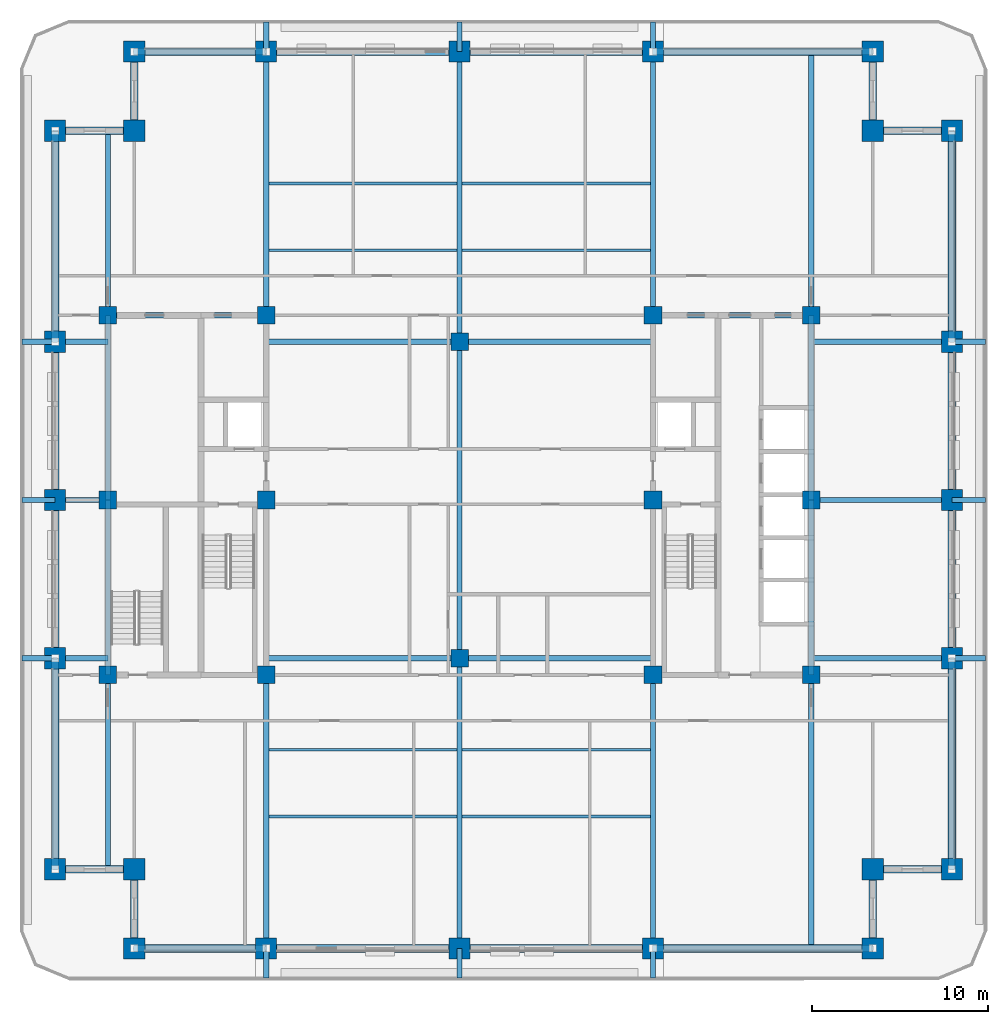
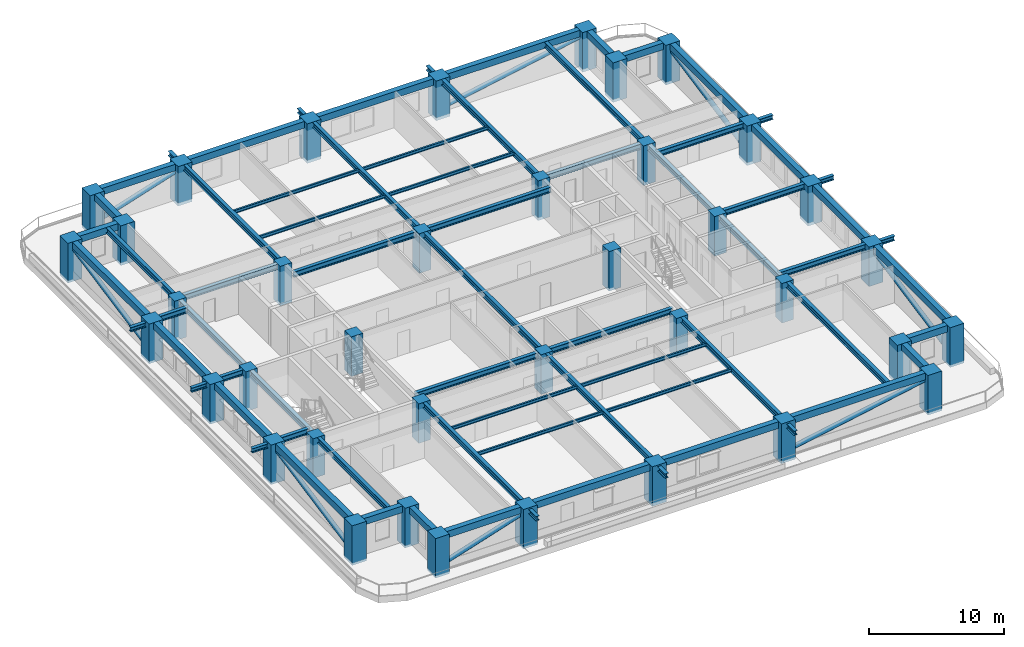
# One storey, part 1 of 13: 71 beams, 38 columns, 8 members.
"""IFC4 building model written with IfcOpenShell, lengths in metres."""

from ifc_helpers import new_model, si_unit, direction, frame, origin, origin_2d, place, context, subcontext, project, spatial, rectangle, hollow_circle, i_section, extrude, material, material_profile, profile_set, type_object, element, save


model = new_model("IFC4")

# Units and contexts
model_context = context("Model", 3, precision=1e-05, world=origin(), true_north=direction((0.0, 1.0)))
body_context = subcontext(model_context, "Body", "Model", "MODEL_VIEW")
ifc_project = project(units=[si_unit("LENGTHUNIT", "METRE"), si_unit("AREAUNIT", "SQUARE_METRE"), si_unit("VOLUMEUNIT", "CUBIC_METRE"), si_unit("PLANEANGLEUNIT", "RADIAN"), si_unit("MASSUNIT", "GRAM", prefix="KILO")], contexts=[model_context])

# Site, building, storey
site_placement = place(None, origin())
site = spatial("IfcSite", under=ifc_project, at=site_placement, CompositionType="ELEMENT")
building_placement = place(site_placement, origin())
building = spatial("IfcBuilding", under=site, at=building_placement, Name="Zulmaris Gate Convention Tower", CompositionType="ELEMENT")
storey_placement = place(building_placement, frame((0.0, 0.0, 91.35986328125)))
storey = spatial("IfcBuildingStorey", under=building, at=storey_placement, Name="L22", CompositionType="ELEMENT", Elevation=91.35986328125)

# Columns
ifc_material_1 = material(Name="Concrete C60/75", Category="concrete")
ifc_material_profile_1 = material_profile(ifc_material_1, rectangle(XDim=1.0, YDim=1.0, at=origin_2d()), Name="RC COL 1000x1000")
ifc_profile_set_1 = profile_set([ifc_material_profile_1], Name="Concrete C60/75")
column_type_1 = type_object("IfcColumnType", Name="COL-RC1000", PredefinedType="COLUMN", material=ifc_profile_set_1)
for number, where, z_axis, x_axis, name in (
    (1, (-20.0, -9.949951171875, -0.25), (0.0, 0.0, 1.0), (1.0, 0.0, 0.0), "L22 Column IN--20.00_-9.95"),
    (2, (-20.0, 10.5, -0.25), (0.0, 0.0, 1.0), (1.0, 0.0, 0.0), "L22 Column IN--20.00_+10.50"),
    (3, (-11.0, -9.949951171875, -0.25), (0.0, 0.0, 1.0), (1.0, 0.0, 0.0), "L22 Column IN--11.00_-9.95"),
    (4, (-11.0, 0.0, -0.25), (0.0, 0.0, 1.0), (1.0, 0.0, 0.0), "L22 Column IN--11.00_+0.00"),
    (5, (-11.0, 10.5, -0.25), (0.0, 0.0, 1.0), (1.0, 0.0, 0.0), "L22 Column IN--11.00_+10.50"),
    (6, (11.0, -9.949951171875, -0.25), (0.0, 0.0, 1.0), (1.0, 0.0, 0.0), "L22 Column IN-+11.00_-9.95"),
    (7, (11.0, 0.0, -0.25), (0.0, 0.0, 1.0), (1.0, 0.0, 0.0), "L22 Column IN-+11.00_+0.00"),
    (8, (11.0, 10.5, -0.25), (0.0, 0.0, 1.0), (1.0, 0.0, 0.0), "L22 Column IN-+11.00_+10.50"),
    (9, (20.0, -9.949951171875, -0.25), (0.0, 0.0, 1.0), (1.0, 0.0, 0.0), "L22 Column IN-+20.00_-9.95"),
    (10, (20.0, 10.5, -0.25), (0.0, 0.0, 1.0), (1.0, 0.0, 0.0), "L22 Column IN-+20.00_+10.50"),
    (11, (0.0, -9.0, -0.25), (0.0, 0.0, 1.0), (1.0, 0.0, 0.0), "L22 Column IN-+0.00_-9.00"),
    (12, (0.0, 9.0, -0.25), (0.0, 0.0, 1.0), (1.0, 0.0, 0.0), "L22 Column IN-+0.00_+9.00"),
    (13, (-20.0, 0.0, -0.25), (0.0, 0.0, 1.0), (1.0, 0.0, 0.0), "L22 Column IN--20.00_+0.00"),
    (14, (20.0, 0.0, -0.25), (0.0, 0.0, 1.0), (1.0, 0.0, 0.0), "L22 Column IN-+20.00_+0.00"),
):
    element("IfcColumn", number, at=place(storey_placement, frame(where, z_axis=z_axis, x_axis=x_axis)), inside=storey, type_object=column_type_1, Name=name, PredefinedType="COLUMN", context=body_context, shape_type="SweptSolid", body=[
        extrude(rectangle(XDim=1.0, YDim=1.0, at=origin_2d()), origin(), (0.0, 0.0, 1.0), 3.570068359375),
    ])
ifc_material_2 = material(Name="Concrete C70/85", Category="concrete")
ifc_material_profile_2 = material_profile(ifc_material_2, rectangle(XDim=1.199951171875, YDim=1.199951171875, at=origin_2d()), Name="RC COL 1200x1200")
ifc_profile_set_2 = profile_set([ifc_material_profile_2], Name="Concrete C70/85")
column_type_2 = type_object("IfcColumnType", Name="COL-RC1200", PredefinedType="COLUMN", material=ifc_profile_set_2)
for number, where, z_axis, x_axis, name in (
    (15, (-18.5, -25.5, -0.25), (0.0, 0.0, 1.0), (1.0, 0.0, 0.0), "L22 Column PT--18.50_-25.50"),
    (16, (-11.0, -25.5, -0.25), (0.0, 0.0, 1.0), (1.0, 0.0, 0.0), "L22 Column PT--11.00_-25.50"),
    (17, (0.0, -25.5, -0.25), (0.0, 0.0, 1.0), (1.0, 0.0, 0.0), "L22 Column PT-+0.00_-25.50"),
    (18, (11.0, -25.5, -0.25), (0.0, 0.0, 1.0), (1.0, 0.0, 0.0), "L22 Column PT-+11.00_-25.50"),
    (19, (23.5, -25.5, -0.25), (0.0, 0.0, 1.0), (1.0, 0.0, 0.0), "L22 Column PT-+23.50_-25.50"),
    (20, (-18.5, 25.5, -0.25), (0.0, 0.0, 1.0), (1.0, 0.0, 0.0), "L22 Column PT--18.50_+25.50"),
    (21, (-11.0, 25.5, -0.25), (0.0, 0.0, 1.0), (1.0, 0.0, 0.0), "L22 Column PT--11.00_+25.50"),
    (22, (0.0, 25.5, -0.25), (0.0, 0.0, 1.0), (1.0, 0.0, 0.0), "L22 Column PT-+0.00_+25.50"),
    (23, (11.0, 25.5, -0.25), (0.0, 0.0, 1.0), (1.0, 0.0, 0.0), "L22 Column PT-+11.00_+25.50"),
    (24, (23.5, 25.5, -0.25), (0.0, 0.0, 1.0), (1.0, 0.0, 0.0), "L22 Column PT-+23.50_+25.50"),
    (25, (-23.0, -21.0, -0.25), (0.0, 0.0, 1.0), (1.0, 0.0, 0.0), "L22 Column PT--23.00_-21.00"),
    (26, (-23.0, -9.0, -0.25), (0.0, 0.0, 1.0), (1.0, 0.0, 0.0), "L22 Column PT--23.00_-9.00"),
    (27, (-23.0, 0.0, -0.25), (0.0, 0.0, 1.0), (1.0, 0.0, 0.0), "L22 Column PT--23.00_+0.00"),
    (28, (-23.0, 9.0, -0.25), (0.0, 0.0, 1.0), (1.0, 0.0, 0.0), "L22 Column PT--23.00_+9.00"),
    (29, (-23.0, 21.0, -0.25), (0.0, 0.0, 1.0), (1.0, 0.0, 0.0), "L22 Column PT--23.00_+21.00"),
    (30, (28.0, -21.0, -0.25), (0.0, 0.0, 1.0), (1.0, 0.0, 0.0), "L22 Column PT-+28.00_-21.00"),
    (31, (28.0, -9.0, -0.25), (0.0, 0.0, 1.0), (1.0, 0.0, 0.0), "L22 Column PT-+28.00_-9.00"),
    (32, (28.0, 0.0, -0.25), (0.0, 0.0, 1.0), (1.0, 0.0, 0.0), "L22 Column PT-+28.00_+0.00"),
    (33, (28.0, 9.0, -0.25), (0.0, 0.0, 1.0), (1.0, 0.0, 0.0), "L22 Column PT-+28.00_+9.00"),
    (34, (28.0, 21.0, -0.25), (0.0, 0.0, 1.0), (1.0, 0.0, 0.0), "L22 Column PT-+28.00_+21.00"),
    (35, (-18.5, -21.0, -0.25), (0.0, 0.0, 1.0), (1.0, 0.0, 0.0), "L22 Column PT--18.50_-21.00"),
    (36, (23.5, -21.0, -0.25), (0.0, 0.0, 1.0), (1.0, 0.0, 0.0), "L22 Column PT-+23.50_-21.00"),
    (37, (23.5, 21.0, -0.25), (0.0, 0.0, 1.0), (1.0, 0.0, 0.0), "L22 Column PT-+23.50_+21.00"),
    (38, (-18.5, 21.0, -0.25), (0.0, 0.0, 1.0), (1.0, 0.0, 0.0), "L22 Column PT--18.50_+21.00"),
):
    element("IfcColumn", number, at=place(storey_placement, frame(where, z_axis=z_axis, x_axis=x_axis)), inside=storey, type_object=column_type_2, Name=name, PredefinedType="COLUMN", context=body_context, shape_type="SweptSolid", body=[
        extrude(rectangle(XDim=1.199951171875, YDim=1.199951171875, at=origin_2d()), origin(), (0.0, 0.0, 1.0), 3.570068359375),
    ])

# Beams
ifc_material_3 = material(Name="Steel S355", Category="steel")
ifc_material_profile_3 = material_profile(ifc_material_3, i_section(OverallWidth=0.300048828125, OverallDepth=0.39990234375, WebThickness=0.013427734375, FlangeThickness=0.02392578125, FilletRadius=0.027099609375, at=origin_2d()), Name="HEB 400")
ifc_profile_set_3 = profile_set([ifc_material_profile_3], Name="Steel S355")
beam_type_1 = type_object("IfcBeamType", Name="BM-HEB400", PredefinedType="BEAM", material=ifc_profile_set_3)
for number, where, z_axis, x_axis, name in (
    (39, (-11.0, -27.199951171875, 2.97998046875), (0.0, 1.0, 0.0), (-1.0, 0.0, 0.0), "L22 Beam TBRK-L22-S--11"),
    (40, (-11.0, 25.5, 2.97998046875), (0.0, 1.0, 0.0), (-1.0, 0.0, 0.0), "L22 Beam TBRK-L22-N--11"),
    (41, (0.0, -27.199951171875, 2.97998046875), (0.0, 1.0, 0.0), (-1.0, 0.0, 0.0), "L22 Beam TBRK-L22-S-+0"),
    (42, (0.0, 25.5, 2.97998046875), (0.0, 1.0, 0.0), (-1.0, 0.0, 0.0), "L22 Beam TBRK-L22-N-+0"),
    (43, (11.0, -27.199951171875, 2.97998046875), (0.0, 1.0, 0.0), (-1.0, 0.0, 0.0), "L22 Beam TBRK-L22-S-+11"),
    (44, (11.0, 25.5, 2.97998046875), (0.0, 1.0, 0.0), (-1.0, 0.0, 0.0), "L22 Beam TBRK-L22-N-+11"),
):
    element("IfcBeam", number, at=place(storey_placement, frame(where, z_axis=z_axis, x_axis=x_axis)), inside=storey, type_object=beam_type_1, Name=name, PredefinedType="BEAM", context=body_context, shape_type="SweptSolid", body=[
        extrude(i_section(OverallWidth=0.300048828125, OverallDepth=0.39990234375, WebThickness=0.013427734375, FlangeThickness=0.02392578125, FilletRadius=0.027099609375, at=origin_2d()), origin(), (0.0, 0.0, 1.0), 1.699951171875),
    ])
for number, where, z_axis, x_axis, name in (
    (45, (-24.89990234375, -9.0, 2.97998046875), (1.0, 0.0, 0.0), (0.0, 1.0, 0.0), "L22 Beam TBRK-L22-W--9"),
    (46, (28.0, -9.0, 2.97998046875), (1.0, 0.0, 0.0), (0.0, 1.0, 0.0), "L22 Beam TBRK-L22-E--9"),
    (47, (-24.89990234375, 0.0, 2.97998046875), (1.0, 0.0, 0.0), (0.0, 1.0, 0.0), "L22 Beam TBRK-L22-W-+0"),
    (48, (28.0, 0.0, 2.97998046875), (1.0, 0.0, 0.0), (0.0, 1.0, 0.0), "L22 Beam TBRK-L22-E-+0"),
    (49, (-24.89990234375, 9.0, 2.97998046875), (1.0, 0.0, 0.0), (0.0, 1.0, 0.0), "L22 Beam TBRK-L22-W-+9"),
    (50, (28.0, 9.0, 2.97998046875), (1.0, 0.0, 0.0), (0.0, 1.0, 0.0), "L22 Beam TBRK-L22-E-+9"),
):
    element("IfcBeam", number, at=place(storey_placement, frame(where, z_axis=z_axis, x_axis=x_axis)), inside=storey, type_object=beam_type_1, Name=name, PredefinedType="BEAM", context=body_context, shape_type="SweptSolid", body=[
        extrude(i_section(OverallWidth=0.300048828125, OverallDepth=0.39990234375, WebThickness=0.013427734375, FlangeThickness=0.02392578125, FilletRadius=0.027099609375, at=origin_2d()), origin(), (0.0, 0.0, 1.0), 1.89990234375),
    ])
ifc_material_profile_4 = material_profile(ifc_material_3, i_section(OverallWidth=0.300048828125, OverallDepth=0.5, WebThickness=0.014404296875, FlangeThickness=0.028076171875, FilletRadius=0.027099609375, at=origin_2d()), Name="HEB 500")
ifc_profile_set_4 = profile_set([ifc_material_profile_4], Name="Steel S355")
beam_type_2 = type_object("IfcBeamType", Name="BM-HEB500", PredefinedType="BEAM", material=ifc_profile_set_4)
for number, where, z_axis, x_axis, name in (
    (51, (-11.0, -9.0, 3.068115234375), (1.0, 0.0, 0.0), (0.0, 1.0, 0.0), "L22 Beam BM-L22-G01"),
    (52, (0.0, -9.0, 3.068115234375), (1.0, 0.0, 0.0), (0.0, 1.0, 0.0), "L22 Beam BM-L22-G02"),
    (53, (-11.0, 9.0, 3.068115234375), (1.0, 0.0, 0.0), (0.0, 1.0, 0.0), "L22 Beam BM-L22-G03"),
    (54, (0.0, 9.0, 3.068115234375), (1.0, 0.0, 0.0), (0.0, 1.0, 0.0), "L22 Beam BM-L22-G04"),
):
    element("IfcBeam", number, at=place(storey_placement, frame(where, z_axis=z_axis, x_axis=x_axis)), inside=storey, type_object=beam_type_2, Name=name, PredefinedType="BEAM", context=body_context, shape_type="SweptSolid", body=[
        extrude(i_section(OverallWidth=0.300048828125, OverallDepth=0.5, WebThickness=0.014404296875, FlangeThickness=0.028076171875, FilletRadius=0.027099609375, at=origin_2d()), origin(), (0.0, 0.0, 1.0), 11.0),
    ])
beam_1_placement = place(storey_placement, frame((0.0, -25.5, 3.068115234375), z_axis=(0.0, 1.0, 0.0), x_axis=(-1.0, 0.0, 0.0)))
element("IfcBeam", 55, at=beam_1_placement, inside=storey, type_object=beam_type_2, Name="L22 Beam BM-L22-G05", PredefinedType="BEAM", context=body_context, shape_type="SweptSolid", body=[
    extrude(i_section(OverallWidth=0.300048828125, OverallDepth=0.5, WebThickness=0.014404296875, FlangeThickness=0.028076171875, FilletRadius=0.027099609375, at=origin_2d()), origin(), (0.0, 0.0, 1.0), 16.5),
])
beam_2_placement = place(storey_placement, frame((0.0, -9.0, 3.068115234375), z_axis=(0.0, 1.0, 0.0), x_axis=(-1.0, 0.0, 0.0)))
element("IfcBeam", 56, at=beam_2_placement, inside=storey, type_object=beam_type_2, Name="L22 Beam BM-L22-G06", PredefinedType="BEAM", context=body_context, shape_type="SweptSolid", body=[
    extrude(i_section(OverallWidth=0.300048828125, OverallDepth=0.5, WebThickness=0.014404296875, FlangeThickness=0.028076171875, FilletRadius=0.027099609375, at=origin_2d()), origin(), (0.0, 0.0, 1.0), 18.0),
])
beam_3_placement = place(storey_placement, frame((0.0, 9.0, 3.068115234375), z_axis=(0.0, 1.0, 0.0), x_axis=(-1.0, 0.0, 0.0)))
element("IfcBeam", 57, at=beam_3_placement, inside=storey, type_object=beam_type_2, Name="L22 Beam BM-L22-G07", PredefinedType="BEAM", context=body_context, shape_type="SweptSolid", body=[
    extrude(i_section(OverallWidth=0.300048828125, OverallDepth=0.5, WebThickness=0.014404296875, FlangeThickness=0.028076171875, FilletRadius=0.027099609375, at=origin_2d()), origin(), (0.0, 0.0, 1.0), 16.5),
])
beam_4_placement = place(storey_placement, frame((-11.0, -25.5, 3.068115234375), z_axis=(0.0, 1.0, 0.0), x_axis=(-1.0, 0.0, 0.0)))
element("IfcBeam", 58, at=beam_4_placement, inside=storey, type_object=beam_type_2, Name="L22 Beam BM-L22-G08", PredefinedType="BEAM", context=body_context, shape_type="SweptSolid", body=[
    extrude(i_section(OverallWidth=0.300048828125, OverallDepth=0.5, WebThickness=0.014404296875, FlangeThickness=0.028076171875, FilletRadius=0.027099609375, at=origin_2d()), origin(), (0.0, 0.0, 1.0), 15.550048828125),
])
beam_5_placement = place(storey_placement, frame((-11.0, 10.5, 3.068115234375), z_axis=(0.0, 1.0, 0.0), x_axis=(-1.0, 0.0, 0.0)))
element("IfcBeam", 59, at=beam_5_placement, inside=storey, type_object=beam_type_2, Name="L22 Beam BM-L22-G09", PredefinedType="BEAM", context=body_context, shape_type="SweptSolid", body=[
    extrude(i_section(OverallWidth=0.300048828125, OverallDepth=0.5, WebThickness=0.014404296875, FlangeThickness=0.028076171875, FilletRadius=0.027099609375, at=origin_2d()), origin(), (0.0, 0.0, 1.0), 15.0),
])
beam_6_placement = place(storey_placement, frame((11.0, -25.5, 3.068115234375), z_axis=(0.0, 1.0, 0.0), x_axis=(-1.0, 0.0, 0.0)))
element("IfcBeam", 60, at=beam_6_placement, inside=storey, type_object=beam_type_2, Name="L22 Beam BM-L22-G10", PredefinedType="BEAM", context=body_context, shape_type="SweptSolid", body=[
    extrude(i_section(OverallWidth=0.300048828125, OverallDepth=0.5, WebThickness=0.014404296875, FlangeThickness=0.028076171875, FilletRadius=0.027099609375, at=origin_2d()), origin(), (0.0, 0.0, 1.0), 15.550048828125),
])
beam_7_placement = place(storey_placement, frame((11.0, 10.5, 3.068115234375), z_axis=(0.0, 1.0, 0.0), x_axis=(-1.0, 0.0, 0.0)))
element("IfcBeam", 61, at=beam_7_placement, inside=storey, type_object=beam_type_2, Name="L22 Beam BM-L22-G11", PredefinedType="BEAM", context=body_context, shape_type="SweptSolid", body=[
    extrude(i_section(OverallWidth=0.300048828125, OverallDepth=0.5, WebThickness=0.014404296875, FlangeThickness=0.028076171875, FilletRadius=0.027099609375, at=origin_2d()), origin(), (0.0, 0.0, 1.0), 15.0),
])
beam_8_placement = place(storey_placement, frame((-20.0, -21.0, 3.068115234375), z_axis=(0.0, 1.0, 0.0), x_axis=(-1.0, 0.0, 0.0)))
element("IfcBeam", 62, at=beam_8_placement, inside=storey, type_object=beam_type_2, Name="L22 Beam BM-L22-G12", PredefinedType="BEAM", context=body_context, shape_type="SweptSolid", body=[
    extrude(i_section(OverallWidth=0.300048828125, OverallDepth=0.5, WebThickness=0.014404296875, FlangeThickness=0.028076171875, FilletRadius=0.027099609375, at=origin_2d()), origin(), (0.0, 0.0, 1.0), 11.050048828125),
])
beam_9_placement = place(storey_placement, frame((-20.0, 10.5, 3.068115234375), z_axis=(0.0, 1.0, 0.0), x_axis=(-1.0, 0.0, 0.0)))
element("IfcBeam", 63, at=beam_9_placement, inside=storey, type_object=beam_type_2, Name="L22 Beam BM-L22-G13", PredefinedType="BEAM", context=body_context, shape_type="SweptSolid", body=[
    extrude(i_section(OverallWidth=0.300048828125, OverallDepth=0.5, WebThickness=0.014404296875, FlangeThickness=0.028076171875, FilletRadius=0.027099609375, at=origin_2d()), origin(), (0.0, 0.0, 1.0), 10.5),
])
beam_10_placement = place(storey_placement, frame((20.0, -25.5, 3.068115234375), z_axis=(0.0, 1.0, 0.0), x_axis=(-1.0, 0.0, 0.0)))
element("IfcBeam", 64, at=beam_10_placement, inside=storey, type_object=beam_type_2, Name="L22 Beam BM-L22-G14", PredefinedType="BEAM", context=body_context, shape_type="SweptSolid", body=[
    extrude(i_section(OverallWidth=0.300048828125, OverallDepth=0.5, WebThickness=0.014404296875, FlangeThickness=0.028076171875, FilletRadius=0.027099609375, at=origin_2d()), origin(), (0.0, 0.0, 1.0), 15.550048828125),
])
beam_11_placement = place(storey_placement, frame((20.0, 10.5, 3.068115234375), z_axis=(0.0, 1.0, 0.0), x_axis=(-1.0, 0.0, 0.0)))
element("IfcBeam", 65, at=beam_11_placement, inside=storey, type_object=beam_type_2, Name="L22 Beam BM-L22-G15", PredefinedType="BEAM", context=body_context, shape_type="SweptSolid", body=[
    extrude(i_section(OverallWidth=0.300048828125, OverallDepth=0.5, WebThickness=0.014404296875, FlangeThickness=0.028076171875, FilletRadius=0.027099609375, at=origin_2d()), origin(), (0.0, 0.0, 1.0), 15.0),
])
for number, where, z_axis, x_axis, name in (
    (66, (-23.0, -9.0, 3.068115234375), (1.0, 0.0, 0.0), (0.0, 1.0, 0.0), "L22 Beam BM-L22-G16"),
    (67, (-23.0, 0.0, 3.068115234375), (1.0, 0.0, 0.0), (0.0, 1.0, 0.0), "L22 Beam BM-L22-G17"),
    (68, (-23.0, 9.0, 3.068115234375), (1.0, 0.0, 0.0), (0.0, 1.0, 0.0), "L22 Beam BM-L22-G18"),
):
    element("IfcBeam", number, at=place(storey_placement, frame(where, z_axis=z_axis, x_axis=x_axis)), inside=storey, type_object=beam_type_2, Name=name, PredefinedType="BEAM", context=body_context, shape_type="SweptSolid", body=[
        extrude(i_section(OverallWidth=0.300048828125, OverallDepth=0.5, WebThickness=0.014404296875, FlangeThickness=0.028076171875, FilletRadius=0.027099609375, at=origin_2d()), origin(), (0.0, 0.0, 1.0), 3.0),
    ])
for number, where, z_axis, x_axis, name in (
    (69, (20.0, -9.0, 3.068115234375), (1.0, 0.0, 0.0), (0.0, 1.0, 0.0), "L22 Beam BM-L22-G19"),
    (70, (20.0, 0.0, 3.068115234375), (1.0, 0.0, 0.0), (0.0, 1.0, 0.0), "L22 Beam BM-L22-G20"),
    (71, (20.0, 9.0, 3.068115234375), (1.0, 0.0, 0.0), (0.0, 1.0, 0.0), "L22 Beam BM-L22-G21"),
):
    element("IfcBeam", number, at=place(storey_placement, frame(where, z_axis=z_axis, x_axis=x_axis)), inside=storey, type_object=beam_type_2, Name=name, PredefinedType="BEAM", context=body_context, shape_type="SweptSolid", body=[
        extrude(i_section(OverallWidth=0.300048828125, OverallDepth=0.5, WebThickness=0.014404296875, FlangeThickness=0.028076171875, FilletRadius=0.027099609375, at=origin_2d()), origin(), (0.0, 0.0, 1.0), 8.0),
    ])
for number, where, z_axis, x_axis, name in (
    (72, (-20.0, 10.5, 3.068115234375), (1.0, 0.0, 0.0), (0.0, 1.0, 0.0), "L22 Beam BM-L22-G23"),
    (73, (11.0, 10.5, 3.068115234375), (1.0, 0.0, 0.0), (0.0, 1.0, 0.0), "L22 Beam BM-L22-G25"),
):
    element("IfcBeam", number, at=place(storey_placement, frame(where, z_axis=z_axis, x_axis=x_axis)), inside=storey, type_object=beam_type_2, Name=name, PredefinedType="BEAM", context=body_context, shape_type="SweptSolid", body=[
        extrude(i_section(OverallWidth=0.300048828125, OverallDepth=0.5, WebThickness=0.014404296875, FlangeThickness=0.028076171875, FilletRadius=0.027099609375, at=origin_2d()), origin(), (0.0, 0.0, 1.0), 9.0),
    ])
beam_12_placement = place(storey_placement, frame((-20.0, -9.949951171875, 3.068115234375), z_axis=(0.0, 1.0, 0.0), x_axis=(-1.0, 0.0, 0.0)))
element("IfcBeam", 74, at=beam_12_placement, inside=storey, type_object=beam_type_2, Name="L22 Beam BM-L22-G26", PredefinedType="BEAM", context=body_context, shape_type="SweptSolid", body=[
    extrude(i_section(OverallWidth=0.300048828125, OverallDepth=0.5, WebThickness=0.014404296875, FlangeThickness=0.028076171875, FilletRadius=0.027099609375, at=origin_2d()), origin(), (0.0, 0.0, 1.0), 9.949951171875),
])
beam_13_placement = place(storey_placement, frame((-20.0, 0.0, 3.068115234375), z_axis=(0.0, 1.0, 0.0), x_axis=(-1.0, 0.0, 0.0)))
element("IfcBeam", 75, at=beam_13_placement, inside=storey, type_object=beam_type_2, Name="L22 Beam BM-L22-G27", PredefinedType="BEAM", context=body_context, shape_type="SweptSolid", body=[
    extrude(i_section(OverallWidth=0.300048828125, OverallDepth=0.5, WebThickness=0.014404296875, FlangeThickness=0.028076171875, FilletRadius=0.027099609375, at=origin_2d()), origin(), (0.0, 0.0, 1.0), 10.5),
])
beam_14_placement = place(storey_placement, frame((20.0, -9.949951171875, 3.068115234375), z_axis=(0.0, 1.0, 0.0), x_axis=(-1.0, 0.0, 0.0)))
element("IfcBeam", 76, at=beam_14_placement, inside=storey, type_object=beam_type_2, Name="L22 Beam BM-L22-G28", PredefinedType="BEAM", context=body_context, shape_type="SweptSolid", body=[
    extrude(i_section(OverallWidth=0.300048828125, OverallDepth=0.5, WebThickness=0.014404296875, FlangeThickness=0.028076171875, FilletRadius=0.027099609375, at=origin_2d()), origin(), (0.0, 0.0, 1.0), 9.949951171875),
])
beam_15_placement = place(storey_placement, frame((20.0, 0.0, 3.068115234375), z_axis=(0.0, 1.0, 0.0), x_axis=(-1.0, 0.0, 0.0)))
element("IfcBeam", 77, at=beam_15_placement, inside=storey, type_object=beam_type_2, Name="L22 Beam BM-L22-G29", PredefinedType="BEAM", context=body_context, shape_type="SweptSolid", body=[
    extrude(i_section(OverallWidth=0.300048828125, OverallDepth=0.5, WebThickness=0.014404296875, FlangeThickness=0.028076171875, FilletRadius=0.027099609375, at=origin_2d()), origin(), (0.0, 0.0, 1.0), 10.5),
])
ifc_material_4 = material(Name="Precast concrete C50/60", Category="concrete")
ifc_material_profile_5 = material_profile(ifc_material_4, rectangle(XDim=0.449951171875, YDim=0.60009765625, at=origin_2d()), Name="RC SPANDREL 450x600")
ifc_profile_set_5 = profile_set([ifc_material_profile_5], Name="Precast concrete C50/60")
beam_type_3 = type_object("IfcBeamType", Name="BM-SP450x600", PredefinedType="SPANDREL", material=ifc_profile_set_5)
beam_16_placement = place(storey_placement, frame((-18.5, -25.5, 3.02001953125), z_axis=(1.0, 0.0, 0.0), x_axis=(0.0, 1.0, 0.0)))
element("IfcBeam", 78, at=beam_16_placement, inside=storey, type_object=beam_type_3, Name="L22 Spandrel SP-L22-01", PredefinedType="SPANDREL", context=body_context, shape_type="SweptSolid", body=[
    extrude(rectangle(XDim=0.449951171875, YDim=0.60009765625, at=origin_2d()), origin(), (0.0, 0.0, 1.0), 7.5),
])
for number, where, z_axis, x_axis, name in (
    (79, (-11.0, -25.5, 3.02001953125), (1.0, 0.0, 0.0), (0.0, 1.0, 0.0), "L22 Spandrel SP-L22-02"),
    (80, (0.0, -25.5, 3.02001953125), (1.0, 0.0, 0.0), (0.0, 1.0, 0.0), "L22 Spandrel SP-L22-03"),
):
    element("IfcBeam", number, at=place(storey_placement, frame(where, z_axis=z_axis, x_axis=x_axis)), inside=storey, type_object=beam_type_3, Name=name, PredefinedType="SPANDREL", context=body_context, shape_type="SweptSolid", body=[
        extrude(rectangle(XDim=0.449951171875, YDim=0.60009765625, at=origin_2d()), origin(), (0.0, 0.0, 1.0), 11.0),
    ])
beam_17_placement = place(storey_placement, frame((11.0, -25.5, 3.02001953125), z_axis=(1.0, 0.0, 0.0), x_axis=(0.0, 1.0, 0.0)))
element("IfcBeam", 81, at=beam_17_placement, inside=storey, type_object=beam_type_3, Name="L22 Spandrel SP-L22-04", PredefinedType="SPANDREL", context=body_context, shape_type="SweptSolid", body=[
    extrude(rectangle(XDim=0.449951171875, YDim=0.60009765625, at=origin_2d()), origin(), (0.0, 0.0, 1.0), 12.5),
])
for number, where, z_axis, x_axis, name in (
    (82, (23.5, -25.5, 3.02001953125), (0.0, 1.0, 0.0), (-1.0, 0.0, 0.0), "L22 Spandrel SP-L22-05"),
    (83, (23.5, -21.0, 3.02001953125), (1.0, 0.0, 0.0), (0.0, 1.0, 0.0), "L22 Spandrel SP-L22-06"),
):
    element("IfcBeam", number, at=place(storey_placement, frame(where, z_axis=z_axis, x_axis=x_axis)), inside=storey, type_object=beam_type_3, Name=name, PredefinedType="SPANDREL", context=body_context, shape_type="SweptSolid", body=[
        extrude(rectangle(XDim=0.449951171875, YDim=0.60009765625, at=origin_2d()), origin(), (0.0, 0.0, 1.0), 4.5),
    ])
beam_18_placement = place(storey_placement, frame((28.0, -21.0, 3.02001953125), z_axis=(0.0, 1.0, 0.0), x_axis=(-1.0, 0.0, 0.0)))
element("IfcBeam", 84, at=beam_18_placement, inside=storey, type_object=beam_type_3, Name="L22 Spandrel SP-L22-07", PredefinedType="SPANDREL", context=body_context, shape_type="SweptSolid", body=[
    extrude(rectangle(XDim=0.449951171875, YDim=0.60009765625, at=origin_2d()), origin(), (0.0, 0.0, 1.0), 12.0),
])
for number, where, z_axis, x_axis, name in (
    (85, (28.0, -9.0, 3.02001953125), (0.0, 1.0, 0.0), (-1.0, 0.0, 0.0), "L22 Spandrel SP-L22-08"),
    (86, (28.0, 0.0, 3.02001953125), (0.0, 1.0, 0.0), (-1.0, 0.0, 0.0), "L22 Spandrel SP-L22-09"),
):
    element("IfcBeam", number, at=place(storey_placement, frame(where, z_axis=z_axis, x_axis=x_axis)), inside=storey, type_object=beam_type_3, Name=name, PredefinedType="SPANDREL", context=body_context, shape_type="SweptSolid", body=[
        extrude(rectangle(XDim=0.449951171875, YDim=0.60009765625, at=origin_2d()), origin(), (0.0, 0.0, 1.0), 9.0),
    ])
beam_19_placement = place(storey_placement, frame((28.0, 9.0, 3.02001953125), z_axis=(0.0, 1.0, 0.0), x_axis=(-1.0, 0.0, 0.0)))
element("IfcBeam", 87, at=beam_19_placement, inside=storey, type_object=beam_type_3, Name="L22 Spandrel SP-L22-10", PredefinedType="SPANDREL", context=body_context, shape_type="SweptSolid", body=[
    extrude(rectangle(XDim=0.449951171875, YDim=0.60009765625, at=origin_2d()), origin(), (0.0, 0.0, 1.0), 12.0),
])
for number, where, z_axis, x_axis, name in (
    (88, (28.0, 21.0, 3.02001953125), (-1.0, 0.0, 0.0), (0.0, -1.0, 0.0), "L22 Spandrel SP-L22-11"),
    (89, (23.5, 21.0, 3.02001953125), (0.0, 1.0, 0.0), (-1.0, 0.0, 0.0), "L22 Spandrel SP-L22-12"),
):
    element("IfcBeam", number, at=place(storey_placement, frame(where, z_axis=z_axis, x_axis=x_axis)), inside=storey, type_object=beam_type_3, Name=name, PredefinedType="SPANDREL", context=body_context, shape_type="SweptSolid", body=[
        extrude(rectangle(XDim=0.449951171875, YDim=0.60009765625, at=origin_2d()), origin(), (0.0, 0.0, 1.0), 4.5),
    ])
beam_20_placement = place(storey_placement, frame((23.5, 25.5, 3.02001953125), z_axis=(-1.0, 0.0, 0.0), x_axis=(0.0, -1.0, 0.0)))
element("IfcBeam", 90, at=beam_20_placement, inside=storey, type_object=beam_type_3, Name="L22 Spandrel SP-L22-13", PredefinedType="SPANDREL", context=body_context, shape_type="SweptSolid", body=[
    extrude(rectangle(XDim=0.449951171875, YDim=0.60009765625, at=origin_2d()), origin(), (0.0, 0.0, 1.0), 12.5),
])
for number, where, z_axis, x_axis, name in (
    (91, (11.0, 25.5, 3.02001953125), (-1.0, 0.0, 0.0), (0.0, -1.0, 0.0), "L22 Spandrel SP-L22-14"),
    (92, (0.0, 25.5, 3.02001953125), (-1.0, 0.0, 0.0), (0.0, -1.0, 0.0), "L22 Spandrel SP-L22-15"),
):
    element("IfcBeam", number, at=place(storey_placement, frame(where, z_axis=z_axis, x_axis=x_axis)), inside=storey, type_object=beam_type_3, Name=name, PredefinedType="SPANDREL", context=body_context, shape_type="SweptSolid", body=[
        extrude(rectangle(XDim=0.449951171875, YDim=0.60009765625, at=origin_2d()), origin(), (0.0, 0.0, 1.0), 11.0),
    ])
beam_21_placement = place(storey_placement, frame((-11.0, 25.5, 3.02001953125), z_axis=(-1.0, 0.0, 0.0), x_axis=(0.0, -1.0, 0.0)))
element("IfcBeam", 93, at=beam_21_placement, inside=storey, type_object=beam_type_3, Name="L22 Spandrel SP-L22-16", PredefinedType="SPANDREL", context=body_context, shape_type="SweptSolid", body=[
    extrude(rectangle(XDim=0.449951171875, YDim=0.60009765625, at=origin_2d()), origin(), (0.0, 0.0, 1.0), 7.5),
])
for number, where, z_axis, x_axis, name in (
    (94, (-18.5, 25.5, 3.02001953125), (0.0, -1.0, 0.0), (1.0, 0.0, 0.0), "L22 Spandrel SP-L22-17"),
    (95, (-18.5, 21.0, 3.02001953125), (-1.0, 0.0, 0.0), (0.0, -1.0, 0.0), "L22 Spandrel SP-L22-18"),
):
    element("IfcBeam", number, at=place(storey_placement, frame(where, z_axis=z_axis, x_axis=x_axis)), inside=storey, type_object=beam_type_3, Name=name, PredefinedType="SPANDREL", context=body_context, shape_type="SweptSolid", body=[
        extrude(rectangle(XDim=0.449951171875, YDim=0.60009765625, at=origin_2d()), origin(), (0.0, 0.0, 1.0), 4.5),
    ])
beam_22_placement = place(storey_placement, frame((-23.0, 21.0, 3.02001953125), z_axis=(0.0, -1.0, 0.0), x_axis=(1.0, 0.0, 0.0)))
element("IfcBeam", 96, at=beam_22_placement, inside=storey, type_object=beam_type_3, Name="L22 Spandrel SP-L22-19", PredefinedType="SPANDREL", context=body_context, shape_type="SweptSolid", body=[
    extrude(rectangle(XDim=0.449951171875, YDim=0.60009765625, at=origin_2d()), origin(), (0.0, 0.0, 1.0), 12.0),
])
for number, where, z_axis, x_axis, name in (
    (97, (-23.0, 9.0, 3.02001953125), (0.0, -1.0, 0.0), (1.0, 0.0, 0.0), "L22 Spandrel SP-L22-20"),
    (98, (-23.0, 0.0, 3.02001953125), (0.0, -1.0, 0.0), (1.0, 0.0, 0.0), "L22 Spandrel SP-L22-21"),
):
    element("IfcBeam", number, at=place(storey_placement, frame(where, z_axis=z_axis, x_axis=x_axis)), inside=storey, type_object=beam_type_3, Name=name, PredefinedType="SPANDREL", context=body_context, shape_type="SweptSolid", body=[
        extrude(rectangle(XDim=0.449951171875, YDim=0.60009765625, at=origin_2d()), origin(), (0.0, 0.0, 1.0), 9.0),
    ])
beam_23_placement = place(storey_placement, frame((-23.0, -9.0, 3.02001953125), z_axis=(0.0, -1.0, 0.0), x_axis=(1.0, 0.0, 0.0)))
element("IfcBeam", 99, at=beam_23_placement, inside=storey, type_object=beam_type_3, Name="L22 Spandrel SP-L22-22", PredefinedType="SPANDREL", context=body_context, shape_type="SweptSolid", body=[
    extrude(rectangle(XDim=0.449951171875, YDim=0.60009765625, at=origin_2d()), origin(), (0.0, 0.0, 1.0), 12.0),
])
for number, where, z_axis, x_axis, name in (
    (100, (-23.0, -21.0, 3.02001953125), (1.0, 0.0, 0.0), (0.0, 1.0, 0.0), "L22 Spandrel SP-L22-23"),
    (101, (-18.5, -21.0, 3.02001953125), (0.0, -1.0, 0.0), (1.0, 0.0, 0.0), "L22 Spandrel SP-L22-24"),
):
    element("IfcBeam", number, at=place(storey_placement, frame(where, z_axis=z_axis, x_axis=x_axis)), inside=storey, type_object=beam_type_3, Name=name, PredefinedType="SPANDREL", context=body_context, shape_type="SweptSolid", body=[
        extrude(rectangle(XDim=0.449951171875, YDim=0.60009765625, at=origin_2d()), origin(), (0.0, 0.0, 1.0), 4.5),
    ])

# Members
ifc_material_5 = material(Name="Steel S460", Category="steel")
ifc_material_profile_6 = material_profile(ifc_material_5, hollow_circle(Radius=0.203125, WallThickness=0.02001953125, at=origin_2d()), Name="CHS 406.4x20")
ifc_profile_set_6 = profile_set([ifc_material_profile_6], Name="Steel S460")
member_type = type_object("IfcMemberType", Name="BR-CHS406", PredefinedType="BRACE", material=ifc_profile_set_6)
for number, where, z_axis, x_axis, name in (
    (102, (-23.0, -21.0, 0.300048828125), (0.0, 0.980582210276, 0.196108462057), (-1.0, 0.0, 0.0), "L22 Perimeter Tube Diagonal SW-W"),
    (103, (-23.0, 9.0, 0.300048828125), (0.0, 0.980582210276, 0.196108462057), (-1.0, 0.0, 0.0), "L22 Perimeter Tube Diagonal NW-W"),
    (104, (28.0, -21.0, 0.300048828125), (0.0, 0.980582210276, 0.196108462057), (-1.0, 0.0, 0.0), "L22 Perimeter Tube Diagonal SE-E"),
    (105, (28.0, 9.0, 0.300048828125), (0.0, 0.980582210276, 0.196108462057), (-1.0, 0.0, 0.0), "L22 Perimeter Tube Diagonal NE-E"),
):
    element("IfcMember", number, at=place(storey_placement, frame(where, z_axis=z_axis, x_axis=x_axis)), inside=storey, type_object=member_type, Name=name, PredefinedType="BRACE", context=body_context, shape_type="SweptSolid", body=[
        extrude(hollow_circle(Radius=0.203125, WallThickness=0.02001953125, at=origin_2d()), origin(), (0.0, 0.0, 1.0), 12.237548828125),
    ])
member_1_placement = place(storey_placement, frame((-18.5, -25.5, 0.300048828125), z_axis=(0.95242774696, 0.0, 0.304764477624), x_axis=(0.0, 1.0, 0.0)))
element("IfcMember", 106, at=member_1_placement, inside=storey, type_object=member_type, Name="L22 Perimeter Tube Diagonal SW-S", PredefinedType="BRACE", context=body_context, shape_type="SweptSolid", body=[
    extrude(hollow_circle(Radius=0.203125, WallThickness=0.02001953125, at=origin_2d()), origin(), (0.0, 0.0, 1.0), 7.87451171875),
])
member_2_placement = place(storey_placement, frame((11.0, -25.5, 0.300048828125), z_axis=(0.982063862241, 0.0, 0.188548589176), x_axis=(0.0, 1.0, 0.0)))
element("IfcMember", 107, at=member_2_placement, inside=storey, type_object=member_type, Name="L22 Perimeter Tube Diagonal SE-S", PredefinedType="BRACE", context=body_context, shape_type="SweptSolid", body=[
    extrude(hollow_circle(Radius=0.203125, WallThickness=0.02001953125, at=origin_2d()), origin(), (0.0, 0.0, 1.0), 12.728271484375),
])
member_3_placement = place(storey_placement, frame((-18.5, 25.5, 0.300048828125), z_axis=(0.95242774696, 0.0, 0.304764477624), x_axis=(0.0, 1.0, 0.0)))
element("IfcMember", 108, at=member_3_placement, inside=storey, type_object=member_type, Name="L22 Perimeter Tube Diagonal NW-N", PredefinedType="BRACE", context=body_context, shape_type="SweptSolid", body=[
    extrude(hollow_circle(Radius=0.203125, WallThickness=0.02001953125, at=origin_2d()), origin(), (0.0, 0.0, 1.0), 7.87451171875),
])
member_4_placement = place(storey_placement, frame((11.0, 25.5, 0.300048828125), z_axis=(0.982063862241, 0.0, 0.188548589176), x_axis=(0.0, 1.0, 0.0)))
element("IfcMember", 109, at=member_4_placement, inside=storey, type_object=member_type, Name="L22 Perimeter Tube Diagonal NE-N", PredefinedType="BRACE", context=body_context, shape_type="SweptSolid", body=[
    extrude(hollow_circle(Radius=0.203125, WallThickness=0.02001953125, at=origin_2d()), origin(), (0.0, 0.0, 1.0), 12.728271484375),
])

# Beams
ifc_material_profile_7 = material_profile(ifc_material_3, i_section(OverallWidth=0.14990234375, OverallDepth=0.300048828125, WebThickness=0.007080078125, FlangeThickness=0.0107421875, FilletRadius=0.014892578125, at=origin_2d()), Name="IPE 300")
ifc_profile_set_7 = profile_set([ifc_material_profile_7], Name="Steel S355")
beam_type_4 = type_object("IfcBeamType", Name="JT-IPE300", PredefinedType="JOIST", material=ifc_profile_set_7)
for number, where, z_axis, x_axis, name in (
    (110, (-10.85009765625, -18.0, 3.16796875), (1.0, 0.0, 0.0), (0.0, 1.0, 0.0), "L22 Joist JT-L22-CW--18.0"),
    (111, (0.14990234375, -18.0, 3.16796875), (1.0, 0.0, 0.0), (0.0, 1.0, 0.0), "L22 Joist JT-L22-CE--18.0"),
    (112, (-10.85009765625, -14.199951171875, 3.16796875), (1.0, 0.0, 0.0), (0.0, 1.0, 0.0), "L22 Joist JT-L22-CW--14.2"),
    (113, (0.14990234375, -14.199951171875, 3.16796875), (1.0, 0.0, 0.0), (0.0, 1.0, 0.0), "L22 Joist JT-L22-CE--14.2"),
    (114, (-10.85009765625, 14.199951171875, 3.16796875), (1.0, 0.0, 0.0), (0.0, 1.0, 0.0), "L22 Joist JT-L22-CW-+14.2"),
    (115, (0.14990234375, 14.199951171875, 3.16796875), (1.0, 0.0, 0.0), (0.0, 1.0, 0.0), "L22 Joist JT-L22-CE-+14.2"),
    (116, (-10.85009765625, 18.0, 3.16796875), (1.0, 0.0, 0.0), (0.0, 1.0, 0.0), "L22 Joist JT-L22-CW-+18.0"),
    (117, (0.14990234375, 18.0, 3.16796875), (1.0, 0.0, 0.0), (0.0, 1.0, 0.0), "L22 Joist JT-L22-CE-+18.0"),
):
    element("IfcBeam", number, at=place(storey_placement, frame(where, z_axis=z_axis, x_axis=x_axis)), inside=storey, type_object=beam_type_4, Name=name, PredefinedType="JOIST", context=body_context, shape_type="SweptSolid", body=[
        extrude(i_section(OverallWidth=0.14990234375, OverallDepth=0.300048828125, WebThickness=0.007080078125, FlangeThickness=0.0107421875, FilletRadius=0.014892578125, at=origin_2d()), origin(), (0.0, 0.0, 1.0), 10.7001953125),
    ])

save(model, "model.ifc")
